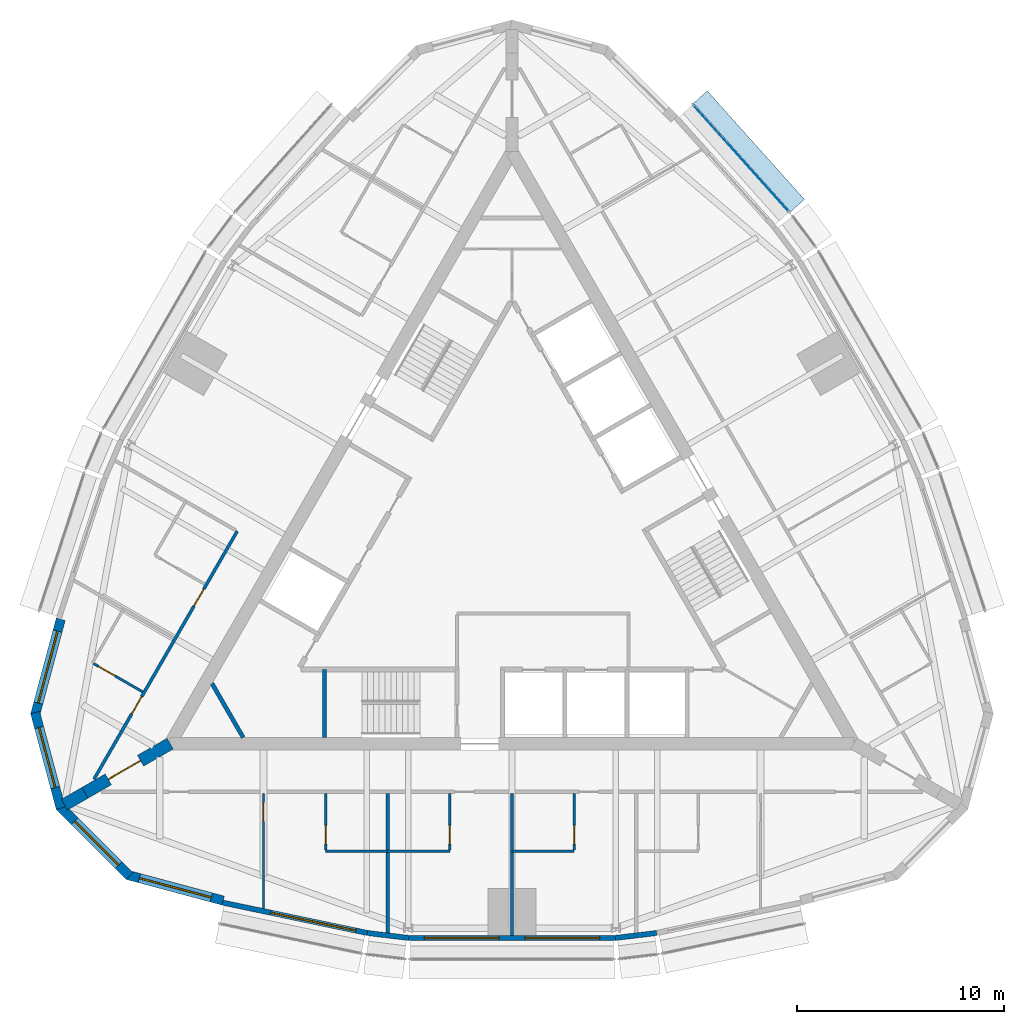
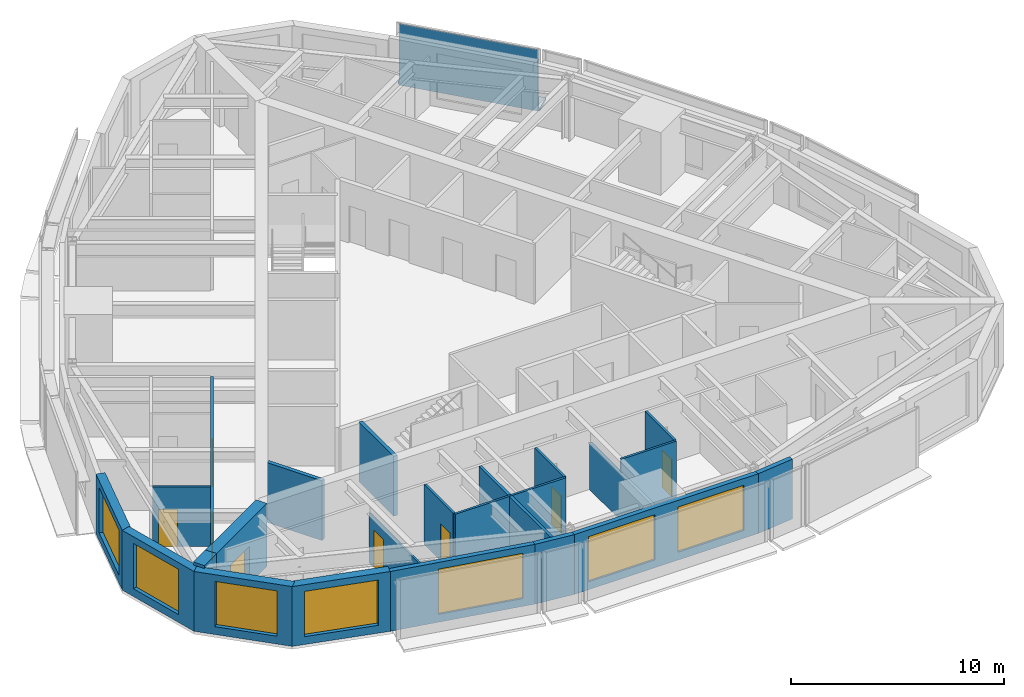
# One storey, part 7 of 12: 23 walls, 8 doors, 7 windows, 2 plates, 15 openings, 1 element without a shape of its own.
"""IFC4 building model written with IfcOpenShell, lengths in metres."""

from ifc_helpers import new_model, si_unit, direction, frame, frame_2d, origin, origin_2d, place, context, subcontext, project, spatial, polyline, rectangle, outline, extrude, material, layer, layer_set, type_object, element, fill, aggregate, save


model = new_model("IFC4")

# Units and contexts
model_context = context("Model", 3, precision=1e-05, world=origin(), true_north=direction((0.0, 1.0)))
body_context = subcontext(model_context, "Body", "Model", "MODEL_VIEW")
ifc_project = project(units=[si_unit("LENGTHUNIT", "METRE"), si_unit("AREAUNIT", "SQUARE_METRE"), si_unit("VOLUMEUNIT", "CUBIC_METRE"), si_unit("PLANEANGLEUNIT", "RADIAN"), si_unit("MASSUNIT", "GRAM", prefix="KILO")], contexts=[model_context])

# Site, building, storey
site_placement = place(None, origin())
site = spatial("IfcSite", under=ifc_project, at=site_placement, CompositionType="ELEMENT")
building_placement = place(site_placement, origin())
building = spatial("IfcBuilding", under=site, at=building_placement, Name="Trikona Tower", CompositionType="ELEMENT")
storey_placement = place(building_placement, frame((0.0, 0.0, 268.10009765625)))
storey = spatial("IfcBuildingStorey", under=building, at=storey_placement, Name="L71", CompositionType="ELEMENT", Elevation=268.10009765625)

# Curtain wall, plate
ifc_material_1 = material(Name="Aluminium curtain wall system", Category="aluminium")
curtain_wall_type = type_object("IfcCurtainWallType", Name="Curtain wall DS3", PredefinedType="NOTDEFINED", material=ifc_material_1)
curtain_wall_placement = place(storey_placement, origin())
curtain_wall = element("IfcCurtainWall", 1, at=curtain_wall_placement, inside=storey, type_object=curtain_wall_type, Name="Curtain wall DS3 L71", PredefinedType="NOTDEFINED")
ifc_material_2 = material(Name="Laminated clear glass", Category="glass")
ifc_layer_1 = layer(ifc_material_2, 0.028076171875)
ifc_layer_set_1 = layer_set([ifc_layer_1], Name="Glass panel DS3")
plate_type_1 = type_object("IfcPlateType", Name="Glass panel DS3", PredefinedType="CURTAIN_PANEL", material=ifc_layer_set_1)
plate_1_placement = place(storey_placement, frame((11.056884765625, 18.7216796875, 0.0), z_axis=(0.0, 0.0, 1.0), x_axis=(-0.667319643748, 0.744771436797, 0.0)))
plate_1 = element("IfcPlate", 2, at=plate_1_placement, type_object=plate_type_1, Name="CW-DS3 panel 1.1", PredefinedType="CURTAIN_PANEL", context=body_context, shape_type="SweptSolid", body=[
    extrude(rectangle(XDim=6.892822265625, YDim=0.028076171875, at=origin_2d()), origin(), (0.0, 0.0, 1.0), 3.530029296875),
])
aggregate(curtain_wall, [plate_1])

# Plate
ifc_material_3 = material(Name="Aluminium plate fin, pale anodised, on stainless steel outriggers", Category="steel")
ifc_layer_2 = layer(ifc_material_3, 0.14990234375)
ifc_layer_set_2 = layer_set([ifc_layer_2], Name="Outer skin fin 900")
plate_type_2 = type_object("IfcPlateType", Name="Outer skin fin 900", PredefinedType="USERDEFINED", material=ifc_layer_set_2)
plate_2_placement = place(storey_placement, frame((11.436767578125, 19.06201171875, 0.0), z_axis=(0.0, 0.0, 1.0), x_axis=(-0.667311465398, 0.744778764566, 0.0)))
element("IfcPlate", 3, at=plate_2_placement, inside=storey, type_object=plate_type_2, Name="Outer skin fin L71-13", ObjectType="FIN", PredefinedType="USERDEFINED", context=body_context, shape_type="SweptSolid", body=[
    extrude(rectangle(XDim=7.03271484375, YDim=0.89990234375, at=origin_2d()), origin(), (0.0, 0.0, 1.0), 0.14990234375),
])

# Wall
ifc_material_4 = material(Name="Metal stud and cement board", Category="gypsum")
ifc_layer_3 = layer(ifc_material_4, 0.1201171875)
ifc_layer_set_3 = layer_set([ifc_layer_3], Name="Bathroom wall 120")
wall_type_1 = type_object("IfcWallType", Name="Bathroom wall 120", PredefinedType="PLUMBINGWALL", material=ifc_layer_set_3)
wall_1_placement = place(storey_placement, frame((-9.0, -14.726318359375, 0.0), z_axis=(0.0, 0.0, 1.0), x_axis=(1.0, 0.0, 0.0)))
element("IfcWall", 4, at=wall_1_placement, inside=storey, type_object=wall_type_1, Name="Bathroom wall 7101.1", PredefinedType="PLUMBINGWALL", context=body_context, shape_type="SweptSolid", body=[
    extrude(rectangle(XDim=3.0, YDim=0.1201171875, at=frame_2d((1.5, 0.0))), origin(), (0.0, 0.0, 1.0), 3.434814453125),
])

# Wall, opening, door
wall_2_placement = place(storey_placement, frame((-9.0, -11.92626953125, 0.0), z_axis=(0.0, 0.0, 1.0), x_axis=(0.0, -1.0, 0.0)))
wall_2 = element("IfcWall", 5, at=wall_2_placement, inside=storey, type_object=wall_type_1, Name="Bathroom wall 7101.1", PredefinedType="PLUMBINGWALL", context=body_context, shape_type="SweptSolid", body=[
    extrude(rectangle(XDim=2.739990234375, YDim=0.1201171875, at=frame_2d((1.3701171875, 0.0))), origin(), (0.0, 0.0, 1.0), 3.434814453125),
])
opening_1_placement = place(wall_2_placement, frame((1.550048828125, 0.0, 0.0)))
opening_1 = element("IfcOpeningElement", 6, at=opening_1_placement, cuts=wall_2, Name="Opening D2", PredefinedType="OPENING", context=body_context, shape_type="SweptSolid", body=[
    extrude(rectangle(XDim=0.89990234375, YDim=2.1298828125, at=frame_2d((0.449951171875, 1.06494140625))), frame((0.0, 0.070068359375, 0.0), z_axis=(0.0, -1.0, 0.0), x_axis=(1.0, 0.0, 0.0)), (0.0, 0.0, 1.0), 0.14013671875),
])
ifc_material_5 = material(Name="Steel door frame with solid-core timber leaf", Category="steel")
door_type_1 = type_object("IfcDoorType", Name="Bathroom door 900x2130", OperationType="SLIDING_TO_LEFT", PredefinedType="DOOR", material=ifc_material_5)
door_1_placement = place(opening_1_placement, origin())
door_1 = element("IfcDoor", 7, at=door_1_placement, inside=storey, type_object=door_type_1, Name="Bathroom door 7101.1", OperationType="SLIDING_TO_LEFT", OverallHeight=2.1298828125, OverallWidth=0.89990234375, PredefinedType="DOOR", context=body_context, shape_type="SweptSolid", body=[
    extrude(rectangle(XDim=0.89990234375, YDim=2.1298828125, at=frame_2d((0.449951171875, 1.06494140625))), frame((0.0, 0.02490234375, 0.0), z_axis=(0.0, -1.0, 0.0), x_axis=(1.0, 0.0, 0.0)), (0.0, 0.0, 1.0), 0.050048828125),
])
fill(opening_1, door_1)

# Wall
wall_3_placement = place(storey_placement, frame((-6.0, -14.726318359375, 0.0), z_axis=(0.0, 0.0, 1.0), x_axis=(1.0, 0.0, 0.0)))
element("IfcWall", 8, at=wall_3_placement, inside=storey, type_object=wall_type_1, Name="Bathroom wall 7102", PredefinedType="PLUMBINGWALL", context=body_context, shape_type="SweptSolid", body=[
    extrude(rectangle(XDim=3.0, YDim=0.1201171875, at=frame_2d((1.5, 0.0))), origin(), (0.0, 0.0, 1.0), 3.434814453125),
])

# Wall, opening, door
wall_4_placement = place(storey_placement, frame((-3.0, -11.92626953125, 0.0), z_axis=(0.0, 0.0, 1.0), x_axis=(0.0, -1.0, 0.0)))
wall_4 = element("IfcWall", 9, at=wall_4_placement, inside=storey, type_object=wall_type_1, Name="Bathroom wall 7102", PredefinedType="PLUMBINGWALL", context=body_context, shape_type="SweptSolid", body=[
    extrude(rectangle(XDim=2.739990234375, YDim=0.1201171875, at=frame_2d((1.3701171875, 0.0))), origin(), (0.0, 0.0, 1.0), 3.434814453125),
])
opening_2_placement = place(wall_4_placement, frame((1.550048828125, 0.0, 0.0)))
opening_2 = element("IfcOpeningElement", 10, at=opening_2_placement, cuts=wall_4, Name="Opening D2", PredefinedType="OPENING", context=body_context, shape_type="SweptSolid", body=[
    extrude(rectangle(XDim=0.89990234375, YDim=2.1298828125, at=frame_2d((0.449951171875, 1.06494140625))), frame((0.0, 0.070068359375, 0.0), z_axis=(0.0, -1.0, 0.0), x_axis=(1.0, 0.0, 0.0)), (0.0, 0.0, 1.0), 0.14013671875),
])
door_2_placement = place(opening_2_placement, origin())
door_2 = element("IfcDoor", 11, at=door_2_placement, inside=storey, type_object=door_type_1, Name="Bathroom door 7102", OperationType="SLIDING_TO_LEFT", OverallHeight=2.1298828125, OverallWidth=0.89990234375, PredefinedType="DOOR", context=body_context, shape_type="SweptSolid", body=[
    extrude(rectangle(XDim=0.89990234375, YDim=2.1298828125, at=frame_2d((0.449951171875, 1.06494140625))), frame((0.0, 0.02490234375, 0.0), z_axis=(0.0, -1.0, 0.0), x_axis=(1.0, 0.0, 0.0)), (0.0, 0.0, 1.0), 0.050048828125),
])
fill(opening_2, door_2)

# Wall
wall_5_placement = place(storey_placement, frame((0.0, -14.726318359375, 0.0), z_axis=(0.0, 0.0, 1.0), x_axis=(1.0, 0.0, 0.0)))
element("IfcWall", 12, at=wall_5_placement, inside=storey, type_object=wall_type_1, Name="Bathroom wall 7103", PredefinedType="PLUMBINGWALL", context=body_context, shape_type="SweptSolid", body=[
    extrude(rectangle(XDim=3.0, YDim=0.1201171875, at=frame_2d((1.5, 0.0))), origin(), (0.0, 0.0, 1.0), 3.434814453125),
])

# Wall, opening, door
wall_6_placement = place(storey_placement, frame((3.0, -11.92626953125, 0.0), z_axis=(0.0, 0.0, 1.0), x_axis=(0.0, -1.0, 0.0)))
wall_6 = element("IfcWall", 13, at=wall_6_placement, inside=storey, type_object=wall_type_1, Name="Bathroom wall 7103", PredefinedType="PLUMBINGWALL", context=body_context, shape_type="SweptSolid", body=[
    extrude(rectangle(XDim=2.739990234375, YDim=0.1201171875, at=frame_2d((1.3701171875, 0.0))), origin(), (0.0, 0.0, 1.0), 3.434814453125),
])
opening_3_placement = place(wall_6_placement, frame((1.550048828125, 0.0, 0.0)))
opening_3 = element("IfcOpeningElement", 14, at=opening_3_placement, cuts=wall_6, Name="Opening D2", PredefinedType="OPENING", context=body_context, shape_type="SweptSolid", body=[
    extrude(rectangle(XDim=0.89990234375, YDim=2.1298828125, at=frame_2d((0.449951171875, 1.06494140625))), frame((0.0, 0.070068359375, 0.0), z_axis=(0.0, -1.0, 0.0), x_axis=(1.0, 0.0, 0.0)), (0.0, 0.0, 1.0), 0.14013671875),
])
door_3_placement = place(opening_3_placement, origin())
door_3 = element("IfcDoor", 15, at=door_3_placement, inside=storey, type_object=door_type_1, Name="Bathroom door 7103", OperationType="SLIDING_TO_LEFT", OverallHeight=2.1298828125, OverallWidth=0.89990234375, PredefinedType="DOOR", context=body_context, shape_type="SweptSolid", body=[
    extrude(rectangle(XDim=0.89990234375, YDim=2.1298828125, at=frame_2d((0.449951171875, 1.06494140625))), frame((0.0, 0.02490234375, 0.0), z_axis=(0.0, -1.0, 0.0), x_axis=(1.0, 0.0, 0.0)), (0.0, 0.0, 1.0), 0.050048828125),
])
fill(opening_3, door_3)

wall_7_placement = place(storey_placement, frame((-17.82861328125, -7.027099609375, 0.0), z_axis=(0.0, 0.0, 1.0), x_axis=(-0.866035715982, 0.499982138324, 0.0)))
wall_7 = element("IfcWall", 16, at=wall_7_placement, inside=storey, type_object=wall_type_1, Name="Bathroom wall 7109", PredefinedType="PLUMBINGWALL", context=body_context, shape_type="SweptSolid", body=[
    extrude(rectangle(XDim=2.73974609375, YDim=0.1201171875, at=frame_2d((1.369873046875, 0.0))), origin(), (0.0, 0.0, 1.0), 3.434814453125),
])
opening_4_placement = place(wall_7_placement, frame((1.550048828125, 0.0, 0.0)))
opening_4 = element("IfcOpeningElement", 17, at=opening_4_placement, cuts=wall_7, Name="Opening D2", PredefinedType="OPENING", context=body_context, shape_type="SweptSolid", body=[
    extrude(rectangle(XDim=0.89990234375, YDim=2.1298828125, at=frame_2d((0.449951171875, 1.06494140625))), frame((0.0, 0.070068359375, 0.0), z_axis=(0.0, -1.0, 0.0), x_axis=(1.0, 0.0, 0.0)), (0.0, 0.0, 1.0), 0.14013671875),
])
door_4_placement = place(opening_4_placement, origin())
door_4 = element("IfcDoor", 18, at=door_4_placement, inside=storey, type_object=door_type_1, Name="Bathroom door 7109", OperationType="SLIDING_TO_LEFT", OverallHeight=2.1298828125, OverallWidth=0.89990234375, PredefinedType="DOOR", context=body_context, shape_type="SweptSolid", body=[
    extrude(rectangle(XDim=0.89990234375, YDim=2.1298828125, at=frame_2d((0.449951171875, 1.06494140625))), frame((0.0, 0.02490234375, 0.0), z_axis=(0.0, -1.0, 0.0), x_axis=(1.0, 0.0, 0.0)), (0.0, 0.0, 1.0), 0.050048828125),
])
fill(opening_4, door_4)

# Wall, opening, window
ifc_material_6 = material(Name="Brick-faced precast concrete", Category="masonry")
ifc_layer_4 = layer(ifc_material_6, 0.449951171875)
ifc_layer_set_4 = layer_set([ifc_layer_4], Name="Brick-faced corner wall 450")
wall_type_2 = type_object("IfcWallType", Name="Brick-faced corner wall 450", PredefinedType="SOLIDWALL", material=ifc_layer_set_4)
wall_8_placement = place(storey_placement, frame((-21.78271484375, -3.522216796875, 0.0), z_axis=(0.0, 0.0, 1.0), x_axis=(-0.25880328844, -0.965930048136, 0.0)))
wall_8 = element("IfcWall", 19, at=wall_8_placement, inside=storey, type_object=wall_type_2, Name="External wall L71-23", PredefinedType="SOLIDWALL", context=body_context, shape_type="SweptSolid", body=[
    extrude(rectangle(XDim=4.78173828125, YDim=0.449951171875, at=frame_2d((2.390869140625, 0.0))), origin(), (0.0, 0.0, 1.0), 3.434814453125),
])
opening_5_placement = place(wall_8_placement, frame((0.5908203125, 0.0, 0.449951171875)))
opening_5 = element("IfcOpeningElement", 20, at=opening_5_placement, cuts=wall_8, Name="Opening W3626", PredefinedType="OPENING", context=body_context, shape_type="SweptSolid", body=[
    extrude(rectangle(XDim=3.60009765625, YDim=2.60009765625, at=frame_2d((1.800048828125, 1.300048828125))), frame((0.0, 0.23486328125, 0.0), z_axis=(0.0, -1.0, 0.0), x_axis=(1.0, 0.0, 0.0)), (0.0, 0.0, 1.0), 0.469970703125),
])
ifc_material_7 = material(Name="Aluminium-framed double glazing", Category="aluminium")
window_type_1 = type_object("IfcWindowType", Name="Window 3600x2600", PartitioningType="SINGLE_PANEL", PredefinedType="WINDOW", material=ifc_material_7)
window_1_placement = place(opening_5_placement, origin())
window_1 = element("IfcWindow", 21, at=window_1_placement, inside=storey, type_object=window_type_1, Name="Window 7109", OverallHeight=2.60009765625, OverallWidth=3.60009765625, PartitioningType="SINGLE_PANEL", PredefinedType="WINDOW", context=body_context, shape_type="SweptSolid", body=[
    extrude(rectangle(XDim=3.60009765625, YDim=2.60009765625, at=frame_2d((1.800048828125, 1.300048828125))), frame((0.0, 0.030029296875, 0.0), z_axis=(0.0, -1.0, 0.0), x_axis=(1.0, 0.0, 0.0)), (0.0, 0.0, 1.0), 0.06005859375),
])
fill(opening_5, window_1)

wall_9_placement = place(storey_placement, frame((-23.020263671875, -8.024658203125, 0.0), z_axis=(0.0, 0.0, 1.0), x_axis=(0.25880328844, -0.965930048136, 0.0)))
wall_9 = element("IfcWall", 22, at=wall_9_placement, inside=storey, type_object=wall_type_2, Name="External wall L71-24", PredefinedType="SOLIDWALL", context=body_context, shape_type="SweptSolid", body=[
    extrude(outline(polyline([(4.78173828125, 0.22509765625), (4.72216796875, 0.22509765625), (4.37548828125, 0.132080078125), (4.3505859375, 0.22509765625), (0.0, 0.22509765625), (0.0, -0.22509765625), (4.78173828125, -0.22509765625), (4.78173828125, 0.22509765625)])), origin(), (0.0, 0.0, 1.0), 3.434814453125),
])
opening_6_placement = place(wall_9_placement, frame((0.750244140625, 0.0, 0.449951171875)))
opening_6 = element("IfcOpeningElement", 23, at=opening_6_placement, cuts=wall_9, Name="Opening W3026", PredefinedType="OPENING", context=body_context, shape_type="SweptSolid", body=[
    extrude(rectangle(XDim=3.0, YDim=2.60009765625, at=frame_2d((1.5, 1.300048828125))), frame((0.0, 0.23486328125, 0.0), z_axis=(0.0, -1.0, 0.0), x_axis=(1.0, 0.0, 0.0)), (0.0, 0.0, 1.0), 0.469970703125),
])
ifc_material_8 = material(Name="Aluminium-framed double glazing", Category="aluminium")
window_type_2 = type_object("IfcWindowType", Name="Window 3000x2600", PartitioningType="SINGLE_PANEL", PredefinedType="WINDOW", material=ifc_material_8)
window_2_placement = place(opening_6_placement, origin())
window_2 = element("IfcWindow", 24, at=window_2_placement, inside=storey, type_object=window_type_2, Name="Window 7109", OverallHeight=2.60009765625, OverallWidth=3.0, PartitioningType="SINGLE_PANEL", PredefinedType="WINDOW", context=body_context, shape_type="SweptSolid", body=[
    extrude(rectangle(XDim=3.0, YDim=2.60009765625, at=frame_2d((1.5, 1.300048828125))), frame((0.0, 0.030029296875, 0.0), z_axis=(0.0, -1.0, 0.0), x_axis=(1.0, 0.0, 0.0)), (0.0, 0.0, 1.0), 0.06005859375),
])
fill(opening_6, window_2)

wall_10_placement = place(storey_placement, frame((-21.8408203125, -12.54248046875, 0.0), z_axis=(0.0, 0.0, 1.0), x_axis=(0.707081252484, -0.707132308968, 0.0)))
wall_10 = element("IfcWall", 25, at=wall_10_placement, inside=storey, type_object=wall_type_2, Name="External wall L71-25", PredefinedType="SOLIDWALL", context=body_context, shape_type="SweptSolid", body=[
    extrude(outline(polyline([(4.78173828125, 0.22509765625), (0.43115234375, 0.22509765625), (0.40625, 0.1318359375), (0.058837890625, 0.22509765625), (0.0, 0.22509765625), (0.0, -0.22509765625), (4.78173828125, -0.22509765625), (4.78173828125, 0.22509765625)])), origin(), (0.0, 0.0, 1.0), 3.434814453125),
])
opening_7_placement = place(wall_10_placement, frame((1.031494140625, 0.0, 0.449951171875)))
opening_7 = element("IfcOpeningElement", 26, at=opening_7_placement, cuts=wall_10, Name="Opening W3026", PredefinedType="OPENING", context=body_context, shape_type="SweptSolid", body=[
    extrude(rectangle(XDim=3.0, YDim=2.60009765625, at=frame_2d((1.5, 1.300048828125))), frame((0.0, 0.23486328125, 0.0), z_axis=(0.0, -1.0, 0.0), x_axis=(1.0, 0.0, 0.0)), (0.0, 0.0, 1.0), 0.469970703125),
])
window_3_placement = place(opening_7_placement, origin())
window_3 = element("IfcWindow", 27, at=window_3_placement, inside=storey, type_object=window_type_2, Name="Window 7101", OverallHeight=2.60009765625, OverallWidth=3.0, PartitioningType="SINGLE_PANEL", PredefinedType="WINDOW", context=body_context, shape_type="SweptSolid", body=[
    extrude(rectangle(XDim=3.0, YDim=2.60009765625, at=frame_2d((1.5, 1.300048828125))), frame((0.0, 0.030029296875, 0.0), z_axis=(0.0, -1.0, 0.0), x_axis=(1.0, 0.0, 0.0)), (0.0, 0.0, 1.0), 0.06005859375),
])
fill(opening_7, window_3)

wall_11_placement = place(storey_placement, frame((-18.560546875, -15.865478515625, 0.0), z_axis=(0.0, 0.0, 1.0), x_axis=(0.965913862671, -0.258863689806, 0.0)))
wall_11 = element("IfcWall", 28, at=wall_11_placement, inside=storey, type_object=wall_type_2, Name="External wall L71-26", PredefinedType="SOLIDWALL", context=body_context, shape_type="SweptSolid", body=[
    extrude(rectangle(XDim=4.78173828125, YDim=0.449951171875, at=frame_2d((2.390869140625, 0.0))), origin(), (0.0, 0.0, 1.0), 3.434814453125),
])
opening_8_placement = place(wall_11_placement, frame((0.5908203125, 0.0, 0.449951171875)))
opening_8 = element("IfcOpeningElement", 29, at=opening_8_placement, cuts=wall_11, Name="Opening W3626", PredefinedType="OPENING", context=body_context, shape_type="SweptSolid", body=[
    extrude(rectangle(XDim=3.60009765625, YDim=2.60009765625, at=frame_2d((1.800048828125, 1.300048828125))), frame((0.0, 0.23486328125, 0.0), z_axis=(0.0, -1.0, 0.0), x_axis=(1.0, 0.0, 0.0)), (0.0, 0.0, 1.0), 0.469970703125),
])
window_4_placement = place(opening_8_placement, origin())
window_4 = element("IfcWindow", 30, at=window_4_placement, inside=storey, type_object=window_type_1, Name="Window 7101", OverallHeight=2.60009765625, OverallWidth=3.60009765625, PartitioningType="SINGLE_PANEL", PredefinedType="WINDOW", context=body_context, shape_type="SweptSolid", body=[
    extrude(rectangle(XDim=3.60009765625, YDim=2.60009765625, at=frame_2d((1.800048828125, 1.300048828125))), frame((0.0, 0.030029296875, 0.0), z_axis=(0.0, -1.0, 0.0), x_axis=(1.0, 0.0, 0.0)), (0.0, 0.0, 1.0), 0.06005859375),
])
fill(opening_8, window_4)

# Wall, opening, door
ifc_material_9 = material(Name="Concrete f'c 10000 psi", Category="concrete")
ifc_layer_5 = layer(ifc_material_9, 0.60009765625)
ifc_layer_set_5 = layer_set([ifc_layer_5], Name="Buttress wall 600")
wall_type_3 = type_object("IfcWallType", Name="Buttress wall 600", PredefinedType="SHEAR", material=ifc_layer_set_5)
wall_12_placement = place(storey_placement, frame((-16.5, -9.5263671875, 0.0), z_axis=(0.0, 0.0, 1.0), x_axis=(-0.866031398331, -0.499989616998, 0.0)))
wall_12 = element("IfcWall", 31, at=wall_12_placement, inside=storey, type_object=wall_type_3, Name="Buttress wall 3", PredefinedType="SHEAR", context=body_context, shape_type="SweptSolid", body=[
    extrude(rectangle(XDim=4.74609375, YDim=0.60009765625, at=frame_2d((2.373046875, 0.0))), origin(), (0.0, 0.0, 1.0), 3.599853515625),
])
opening_9_placement = place(wall_12_placement, frame((1.64990234375, 0.0, 0.0)))
opening_9 = element("IfcOpeningElement", 32, at=opening_9_placement, cuts=wall_12, Name="Opening D10", PredefinedType="OPENING", context=body_context, shape_type="SweptSolid", body=[
    extrude(rectangle(XDim=1.800048828125, YDim=2.1298828125, at=frame_2d((0.89990234375, 1.06494140625))), frame((0.0, 0.31005859375, 0.0), z_axis=(0.0, -1.0, 0.0), x_axis=(1.0, 0.0, 0.0)), (0.0, 0.0, 1.0), 0.6201171875),
])
ifc_material_10 = material(Name="Hollow metal door and frame", Category="steel")
door_type_2 = type_object("IfcDoorType", Name="Cross-corridor door pair 1800x2130", OperationType="DOUBLE_DOOR_DOUBLE_SWING", PredefinedType="DOOR", material=ifc_material_10)
door_5_placement = place(opening_9_placement, origin())
door_5 = element("IfcDoor", 33, at=door_5_placement, inside=storey, type_object=door_type_2, Name="Cross-corridor door 3", OperationType="DOUBLE_DOOR_DOUBLE_SWING", OverallHeight=2.1298828125, OverallWidth=1.800048828125, PredefinedType="DOOR", context=body_context, shape_type="SweptSolid", body=[
    extrude(rectangle(XDim=1.800048828125, YDim=2.1298828125, at=frame_2d((0.89990234375, 1.06494140625))), frame((0.0, 0.02490234375, 0.0), z_axis=(0.0, -1.0, 0.0), x_axis=(1.0, 0.0, 0.0)), (0.0, 0.0, 1.0), 0.050048828125),
])
fill(opening_9, door_5)

# Wall
wall_13_placement = place(storey_placement, frame((-20.6103515625, -11.8994140625, 0.0), z_axis=(0.0, 0.0, 1.0), x_axis=(-0.866009537788, -0.500027479704, 0.0)))
element("IfcWall", 34, at=wall_13_placement, inside=storey, type_object=wall_type_3, Name="Buttress wall 3 part 2", PredefinedType="SHEAR", context=body_context, shape_type="SweptSolid", body=[
    extrude(rectangle(XDim=1.15478515625, YDim=0.60009765625, at=frame_2d((0.577392578125, 0.0))), origin(), (0.0, 0.0, 1.0), 3.599853515625),
])

# Wall, openings, doors
ifc_material_11 = material(Name="Metal stud and gypsum board, 1-hour", Category="gypsum")
ifc_layer_6 = layer(ifc_material_11, 0.14990234375)
ifc_layer_set_6 = layer_set([ifc_layer_6], Name="Corridor wall 150")
wall_type_4 = type_object("IfcWallType", Name="Corridor wall 150", PredefinedType="PARTITIONING", material=ifc_layer_set_6)
wall_14_placement = place(storey_placement, frame((-13.263427734375, 0.7294921875, 0.0), z_axis=(0.0, 0.0, 1.0), x_axis=(-0.500001642027, -0.866024455758, 0.0)))
wall_14 = element("IfcWall", 35, at=wall_14_placement, inside=storey, type_object=wall_type_4, Name="Corridor wall L71-3B", PredefinedType="PARTITIONING", context=body_context, shape_type="SweptSolid", body=[
    extrude(rectangle(XDim=13.8271484375, YDim=0.14990234375, at=frame_2d((6.91357421875, 0.0))), origin(), (0.0, 0.0, 1.0), 3.434814453125),
])
opening_10_placement = place(wall_14_placement, frame((3.22509765625, 0.0, 0.0)))
opening_10 = element("IfcOpeningElement", 36, at=opening_10_placement, cuts=wall_14, Name="Opening D1", PredefinedType="OPENING", context=body_context, shape_type="SweptSolid", body=[
    extrude(rectangle(XDim=0.949951171875, YDim=2.1298828125, at=frame_2d((0.47509765625, 1.06494140625))), frame((0.0, 0.0849609375, 0.0), z_axis=(0.0, -1.0, 0.0), x_axis=(1.0, 0.0, 0.0)), (0.0, 0.0, 1.0), 0.169921875),
])
opening_11_placement = place(wall_14_placement, frame((9.22509765625, 0.0, 0.0)))
opening_11 = element("IfcOpeningElement", 37, at=opening_11_placement, cuts=wall_14, Name="Opening D1", PredefinedType="OPENING", context=body_context, shape_type="SweptSolid", body=[
    extrude(rectangle(XDim=0.949951171875, YDim=2.1298828125, at=frame_2d((0.47509765625, 1.06494140625))), frame((0.0, 0.0849609375, 0.0), z_axis=(0.0, -1.0, 0.0), x_axis=(1.0, 0.0, 0.0)), (0.0, 0.0, 1.0), 0.169921875),
])
ifc_material_12 = material(Name="Steel door frame with solid-core timber leaf", Category="steel")
door_type_3 = type_object("IfcDoorType", Name="Guest room door 950x2130", OperationType="SINGLE_SWING_LEFT", PredefinedType="DOOR", material=ifc_material_12)
door_6_placement = place(opening_10_placement, origin())
door_6 = element("IfcDoor", 38, at=door_6_placement, inside=storey, type_object=door_type_3, Name="Room door 7108", OperationType="SINGLE_SWING_LEFT", OverallHeight=2.1298828125, OverallWidth=0.949951171875, PredefinedType="DOOR", context=body_context, shape_type="SweptSolid", body=[
    extrude(rectangle(XDim=0.949951171875, YDim=2.1298828125, at=frame_2d((0.47509765625, 1.06494140625))), frame((0.0, 0.02490234375, 0.0), z_axis=(0.0, -1.0, 0.0), x_axis=(1.0, 0.0, 0.0)), (0.0, 0.0, 1.0), 0.050048828125),
])
fill(opening_10, door_6)
door_7_placement = place(opening_11_placement, origin())
door_7 = element("IfcDoor", 39, at=door_7_placement, inside=storey, type_object=door_type_3, Name="Room door 7109", OperationType="SINGLE_SWING_RIGHT", OverallHeight=2.1298828125, OverallWidth=0.949951171875, PredefinedType="DOOR", context=body_context, shape_type="SweptSolid", body=[
    extrude(rectangle(XDim=0.949951171875, YDim=2.1298828125, at=frame_2d((0.47509765625, 1.06494140625))), frame((0.0, 0.02490234375, 0.0), z_axis=(0.0, -1.0, 0.0), x_axis=(1.0, 0.0, 0.0)), (0.0, 0.0, 1.0), 0.050048828125),
])
fill(opening_11, door_7)

# Wall, opening, window
ifc_material_13 = material(Name="Insulated precast concrete spandrel panel", Category="concrete")
ifc_layer_7 = layer(ifc_material_13, 0.25)
ifc_layer_set_7 = layer_set([ifc_layer_7], Name="Inner skin wall 250")
wall_type_5 = type_object("IfcWallType", Name="Inner skin wall 250", PredefinedType="STANDARD", material=ifc_layer_set_7)
wall_15_placement = place(storey_placement, frame((-13.974365234375, -17.1982421875, 0.0), z_axis=(0.0, 0.0, 1.0), x_axis=(0.978654320409, -0.205513311355, 0.0)))
wall_15 = element("IfcWall", 40, at=wall_15_placement, inside=storey, type_object=wall_type_5, Name="External wall L71-00", PredefinedType="STANDARD", context=body_context, shape_type="SweptSolid", body=[
    extrude(rectangle(XDim=7.152587890625, YDim=0.25, at=frame_2d((3.576171875, 0.0))), origin(), (0.0, 0.0, 1.0), 3.434814453125),
])
opening_12_placement = place(wall_15_placement, frame((2.3759765625, 0.0, 0.449951171875)))
opening_12 = element("IfcOpeningElement", 41, at=opening_12_placement, cuts=wall_15, Name="Opening W4226", PredefinedType="OPENING", context=body_context, shape_type="SweptSolid", body=[
    extrude(rectangle(XDim=4.199951171875, YDim=2.60009765625, at=frame_2d((2.10009765625, 1.300048828125))), frame((0.0, 0.135009765625, 0.0), z_axis=(0.0, -1.0, 0.0), x_axis=(1.0, 0.0, 0.0)), (0.0, 0.0, 1.0), 0.27001953125),
])
ifc_material_14 = material(Name="Aluminium-framed double glazing", Category="aluminium")
window_type_3 = type_object("IfcWindowType", Name="Window 4200x2600", PartitioningType="SINGLE_PANEL", PredefinedType="WINDOW", material=ifc_material_14)
window_5_placement = place(opening_12_placement, origin())
window_5 = element("IfcWindow", 42, at=window_5_placement, inside=storey, type_object=window_type_3, Name="Window 7101.1", OverallHeight=2.60009765625, OverallWidth=4.199951171875, PartitioningType="SINGLE_PANEL", PredefinedType="WINDOW", context=body_context, shape_type="SweptSolid", body=[
    extrude(rectangle(XDim=4.199951171875, YDim=2.60009765625, at=frame_2d((2.10009765625, 1.300048828125))), frame((0.0, 0.030029296875, 0.0), z_axis=(0.0, -1.0, 0.0), x_axis=(1.0, 0.0, 0.0)), (0.0, 0.0, 1.0), 0.06005859375),
])
fill(opening_12, window_5)

# Wall
wall_16_placement = place(storey_placement, frame((-6.985107421875, -18.66650390625, 0.0), z_axis=(0.0, 0.0, 1.0), x_axis=(0.992877411981, -0.119140441403, 0.0)))
element("IfcWall", 43, at=wall_16_placement, inside=storey, type_object=wall_type_5, Name="External wall L71-01", PredefinedType="STANDARD", context=body_context, shape_type="SweptSolid", body=[
    extrude(rectangle(XDim=2.014404296875, YDim=0.25, at=frame_2d((1.00732421875, 0.0))), origin(), (0.0, 0.0, 1.0), 3.434814453125),
])

# Wall, openings, windows
wall_17_placement = place(storey_placement, frame((-5.0, -18.905517578125, 0.0), z_axis=(0.0, 0.0, 1.0), x_axis=(1.0, 0.0, 0.0)))
wall_17 = element("IfcWall", 44, at=wall_17_placement, inside=storey, type_object=wall_type_5, Name="External wall L71-02", PredefinedType="STANDARD", context=body_context, shape_type="SweptSolid", body=[
    extrude(rectangle(XDim=10.0, YDim=0.25, at=frame_2d((5.0, 0.0))), origin(), (0.0, 0.0, 1.0), 3.434814453125),
])
opening_13_placement = place(wall_17_placement, frame((0.77490234375, 0.0, 0.449951171875)))
opening_13 = element("IfcOpeningElement", 45, at=opening_13_placement, cuts=wall_17, Name="Opening W3626", PredefinedType="OPENING", context=body_context, shape_type="SweptSolid", body=[
    extrude(rectangle(XDim=3.60009765625, YDim=2.60009765625, at=frame_2d((1.800048828125, 1.300048828125))), frame((0.0, 0.135009765625, 0.0), z_axis=(0.0, -1.0, 0.0), x_axis=(1.0, 0.0, 0.0)), (0.0, 0.0, 1.0), 0.27001953125),
])
opening_14_placement = place(wall_17_placement, frame((5.625, 0.0, 0.449951171875)))
opening_14 = element("IfcOpeningElement", 46, at=opening_14_placement, cuts=wall_17, Name="Opening W3626", PredefinedType="OPENING", context=body_context, shape_type="SweptSolid", body=[
    extrude(rectangle(XDim=3.60009765625, YDim=2.60009765625, at=frame_2d((1.800048828125, 1.300048828125))), frame((0.0, 0.135009765625, 0.0), z_axis=(0.0, -1.0, 0.0), x_axis=(1.0, 0.0, 0.0)), (0.0, 0.0, 1.0), 0.27001953125),
])
window_6_placement = place(opening_13_placement, origin())
window_6 = element("IfcWindow", 47, at=window_6_placement, inside=storey, type_object=window_type_1, Name="Window 7102", OverallHeight=2.60009765625, OverallWidth=3.60009765625, PartitioningType="SINGLE_PANEL", PredefinedType="WINDOW", context=body_context, shape_type="SweptSolid", body=[
    extrude(rectangle(XDim=3.60009765625, YDim=2.60009765625, at=frame_2d((1.800048828125, 1.300048828125))), frame((0.0, 0.030029296875, 0.0), z_axis=(0.0, -1.0, 0.0), x_axis=(1.0, 0.0, 0.0)), (0.0, 0.0, 1.0), 0.06005859375),
])
fill(opening_13, window_6)
window_7_placement = place(opening_14_placement, origin())
window_7 = element("IfcWindow", 48, at=window_7_placement, inside=storey, type_object=window_type_1, Name="Window 7103", OverallHeight=2.60009765625, OverallWidth=3.60009765625, PartitioningType="SINGLE_PANEL", PredefinedType="WINDOW", context=body_context, shape_type="SweptSolid", body=[
    extrude(rectangle(XDim=3.60009765625, YDim=2.60009765625, at=frame_2d((1.800048828125, 1.300048828125))), frame((0.0, 0.030029296875, 0.0), z_axis=(0.0, -1.0, 0.0), x_axis=(1.0, 0.0, 0.0)), (0.0, 0.0, 1.0), 0.06005859375),
])
fill(opening_14, window_7)

# Walls
wall_18_placement = place(storey_placement, frame((4.985107421875, -18.906494140625, 0.0), z_axis=(0.0, 0.0, 1.0), x_axis=(0.992877411981, 0.119140441403, 0.0)))
element("IfcWall", 49, at=wall_18_placement, inside=storey, type_object=wall_type_5, Name="External wall L71-03", PredefinedType="STANDARD", context=body_context, shape_type="SweptSolid", body=[
    extrude(rectangle(XDim=2.014404296875, YDim=0.25, at=frame_2d((1.00732421875, 0.0))), origin(), (0.0, 0.0, 1.0), 3.434814453125),
])
ifc_material_15 = material(Name="Metal stud and gypsum board, 1-hour acoustic", Category="gypsum")
ifc_layer_8 = layer(ifc_material_15, 0.14990234375)
ifc_layer_set_8 = layer_set([ifc_layer_8], Name="Party wall 150")
wall_type_6 = type_object("IfcWallType", Name="Party wall 150", PredefinedType="PARTITIONING", material=ifc_layer_set_8)
wall_19_placement = place(storey_placement, frame((-6.0, -11.92626953125, 0.0), z_axis=(0.0, 0.0, 1.0), x_axis=(0.0, -1.0, 0.0)))
element("IfcWall", 50, at=wall_19_placement, inside=storey, type_object=wall_type_6, Name="Partition L71 F1 u-6", PredefinedType="PARTITIONING", context=body_context, shape_type="SweptSolid", body=[
    extrude(rectangle(XDim=6.732421875, YDim=0.14990234375, at=frame_2d((3.3662109375, 0.0))), origin(), (0.0, 0.0, 1.0), 3.434814453125),
])
wall_20_placement = place(storey_placement, frame((0.0, -11.92626953125, 0.0), z_axis=(0.0, 0.0, 1.0), x_axis=(0.0, -1.0, 0.0)))
element("IfcWall", 51, at=wall_20_placement, inside=storey, type_object=wall_type_6, Name="Partition L71 F1 u0", PredefinedType="PARTITIONING", context=body_context, shape_type="SweptSolid", body=[
    extrude(rectangle(XDim=6.854248046875, YDim=0.14990234375, at=frame_2d((3.42724609375, 0.0))), origin(), (0.0, 0.0, 1.0), 2.677978515625),
])
ifc_material_16 = material(Name="Concrete f'c 8000 psi", Category="concrete")
ifc_layer_9 = layer(ifc_material_16, 0.199951171875)
ifc_layer_set_9 = layer_set([ifc_layer_9], Name="Shaft wall 200")
wall_type_7 = type_object("IfcWallType", Name="Shaft wall 200", PredefinedType="SOLIDWALL", material=ifc_layer_set_9)
wall_21_placement = place(storey_placement, frame((-12.978271484375, -9.226318359375, 0.0), z_axis=(0.0, 0.0, 1.0), x_axis=(-0.499952404951, 0.866052881055, 0.0)))
element("IfcWall", 52, at=wall_21_placement, inside=storey, type_object=wall_type_7, Name="Riser wall L71-RS3", PredefinedType="SOLIDWALL", context=body_context, shape_type="SweptSolid", body=[
    extrude(rectangle(XDim=3.002197265625, YDim=0.199951171875, at=frame_2d((1.5009765625, 0.0))), origin(), (0.0, 0.0, 1.0), 3.434814453125),
])
ifc_material_17 = material(Name="Concrete f'c 8000 psi", Category="concrete")
ifc_layer_10 = layer(ifc_material_17, 0.199951171875)
ifc_layer_set_10 = layer_set([ifc_layer_10], Name="Shaft wall 200 load-bearing")
wall_type_8 = type_object("IfcWallType", Name="Shaft wall 200 load-bearing", PredefinedType="SOLIDWALL", material=ifc_layer_set_10)
wall_22_placement = place(storey_placement, frame((-9.050048828125, -5.951416015625, 0.0), z_axis=(0.0, 0.0, 1.0), x_axis=(0.0, -1.0, 0.0)))
element("IfcWall", 53, at=wall_22_placement, inside=storey, type_object=wall_type_8, Name="Shaft wall A1", PredefinedType="SOLIDWALL", context=body_context, shape_type="SweptSolid", body=[
    extrude(rectangle(XDim=3.27490234375, YDim=0.199951171875, at=frame_2d((1.637451171875, 0.0))), origin(), (0.0, 0.0, 1.0), 3.434814453125),
])

# Wall, opening, door
ifc_material_18 = material(Name="Metal stud and gypsum board, acoustic", Category="gypsum")
ifc_layer_11 = layer(ifc_material_18, 0.10009765625)
ifc_layer_set_11 = layer_set([ifc_layer_11], Name="Suite partition 100")
wall_type_9 = type_object("IfcWallType", Name="Suite partition 100", PredefinedType="PARTITIONING", material=ifc_layer_set_11)
wall_23_placement = place(storey_placement, frame((-12.0, -11.92626953125, 0.0), z_axis=(0.0, 0.0, 1.0), x_axis=(0.0, -1.0, 0.0)))
wall_23 = element("IfcWall", 54, at=wall_23_placement, inside=storey, type_object=wall_type_9, Name="Suite partition L71 F1 u-12", PredefinedType="PARTITIONING", context=body_context, shape_type="SweptSolid", body=[
    extrude(rectangle(XDim=5.558837890625, YDim=0.10009765625, at=frame_2d((2.779296875, 0.0))), origin(), (0.0, 0.0, 1.0), 2.82275390625),
])
opening_15_placement = place(wall_23_placement, frame((0.449951171875, 0.0, 0.0)))
opening_15 = element("IfcOpeningElement", 55, at=opening_15_placement, cuts=wall_23, Name="Opening D13", PredefinedType="OPENING", context=body_context, shape_type="SweptSolid", body=[
    extrude(rectangle(XDim=0.89990234375, YDim=2.1298828125, at=frame_2d((0.449951171875, 1.06494140625))), frame((0.0, 0.06005859375, 0.0), z_axis=(0.0, -1.0, 0.0), x_axis=(1.0, 0.0, 0.0)), (0.0, 0.0, 1.0), 0.1201171875),
])
ifc_material_19 = material(Name="Steel door frame with solid-core timber leaf", Category="steel")
door_type_4 = type_object("IfcDoorType", Name="Suite door 900x2130", OperationType="SINGLE_SWING_LEFT", PredefinedType="DOOR", material=ifc_material_19)
door_8_placement = place(opening_15_placement, origin())
door_8 = element("IfcDoor", 56, at=door_8_placement, inside=storey, type_object=door_type_4, Name="Suite door 7101", OperationType="SINGLE_SWING_LEFT", OverallHeight=2.1298828125, OverallWidth=0.89990234375, PredefinedType="DOOR", context=body_context, shape_type="SweptSolid", body=[
    extrude(rectangle(XDim=0.89990234375, YDim=2.1298828125, at=frame_2d((0.449951171875, 1.06494140625))), frame((0.0, 0.02490234375, 0.0), z_axis=(0.0, -1.0, 0.0), x_axis=(1.0, 0.0, 0.0)), (0.0, 0.0, 1.0), 0.050048828125),
])
fill(opening_15, door_8)

save(model, "model.ifc")
